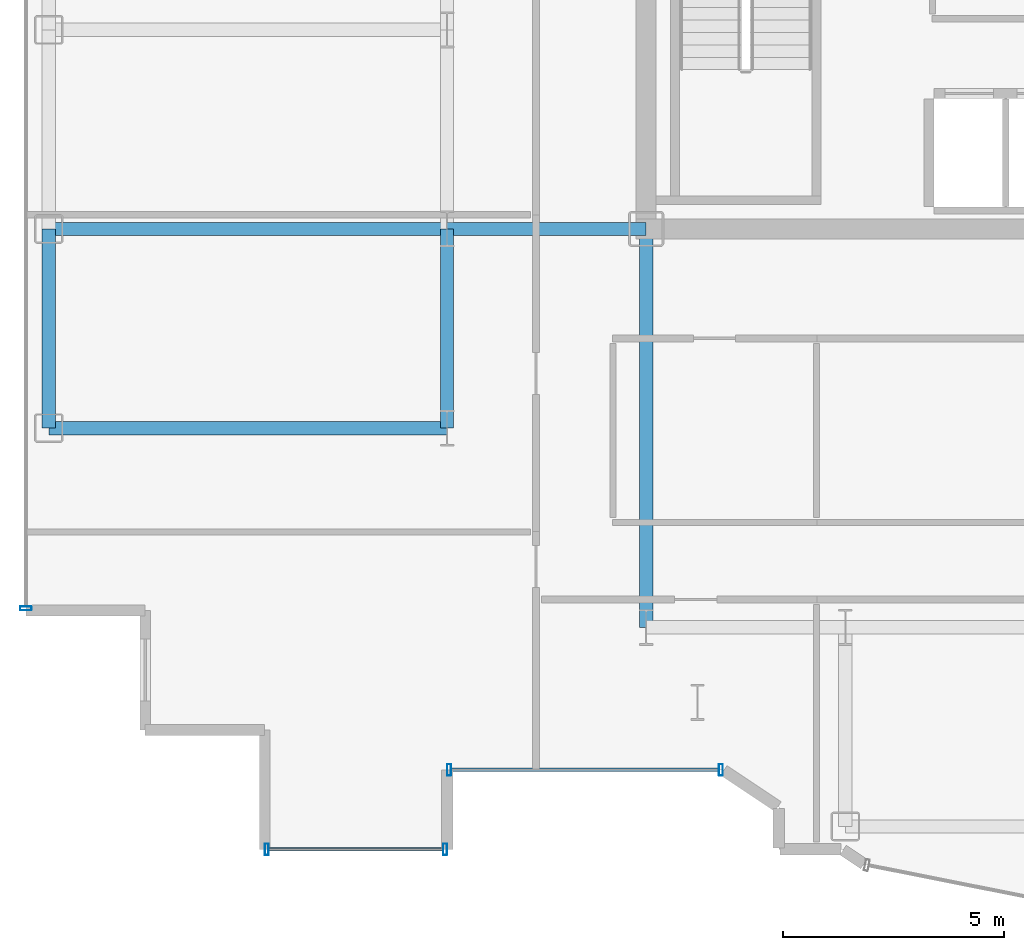
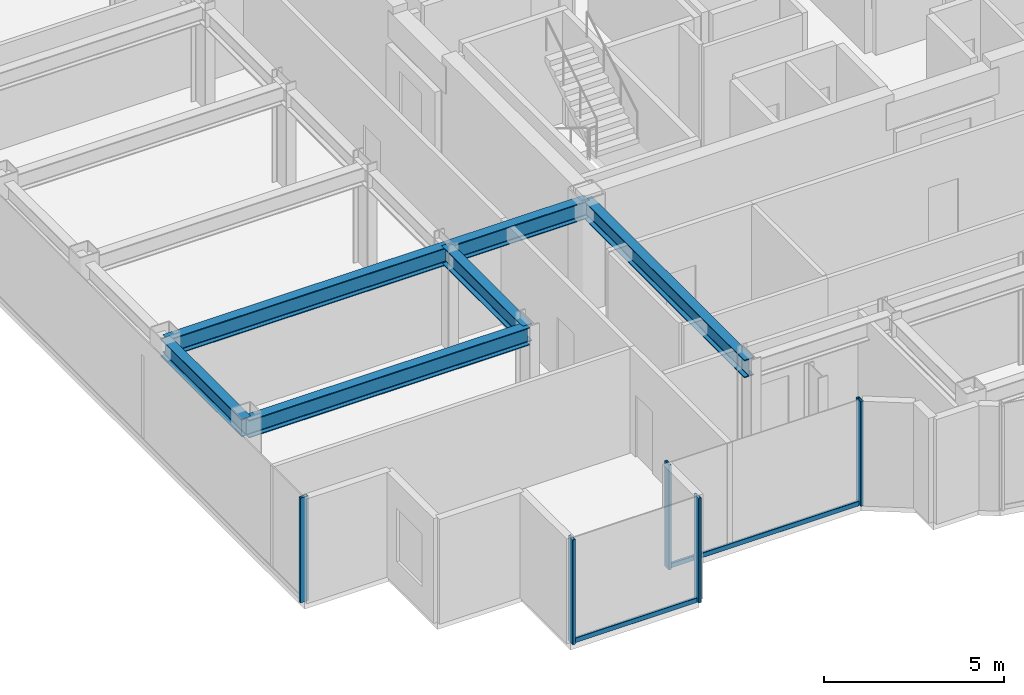
# One storey, part 2 of 20: 7 members, 6 beams, 3 elements without a shape of their own.
"""IFC4 building model written with IfcOpenShell, lengths in metres."""

from ifc_helpers import new_model, si_unit, direction, frame, origin, origin_2d, place, context, subcontext, project, spatial, hollow_rectangle, i_section, extrude, source, transform, mapped, material, layer, layer_set, material_profile, profile_set, type_object, element, aggregate, save


model = new_model("IFC4")

# Units and contexts
model_context = context("Model", 3, precision=1e-05, world=origin(), true_north=direction((0.0, 1.0)))
body_context = subcontext(model_context, "Body", "Model", "MODEL_VIEW")
ifc_project = project(units=[si_unit("LENGTHUNIT", "METRE"), si_unit("AREAUNIT", "SQUARE_METRE"), si_unit("VOLUMEUNIT", "CUBIC_METRE"), si_unit("PLANEANGLEUNIT", "RADIAN"), si_unit("MASSUNIT", "GRAM", prefix="KILO")], contexts=[model_context])

# Site, building, storey
site_placement = place(None, origin())
site = spatial("IfcSite", under=ifc_project, at=site_placement, CompositionType="ELEMENT")
building_placement = place(site_placement, origin())
building = spatial("IfcBuilding", under=site, at=building_placement, Name="Nefas-Gora Pilgrimage Tower", CompositionType="ELEMENT")
storey_placement = place(building_placement, frame((0.0, 0.0, 244.60009765625)))
storey = spatial("IfcBuildingStorey", under=building, at=storey_placement, Name="L61", CompositionType="ELEMENT", Elevation=244.60009765625)

# Beams
ifc_material_1 = material(Name="Steel S355", Category="steel")
ifc_material_profile_1 = material_profile(ifc_material_1, i_section(OverallWidth=0.300048828125, OverallDepth=0.60009765625, WebThickness=0.015380859375, FlangeThickness=0.030029296875, FilletRadius=0.027099609375, at=origin_2d()), Name="HEB 600")
ifc_profile_set_1 = profile_set([ifc_material_profile_1], Name="Steel S355")
beam_type_1 = type_object("IfcBeamType", Name="BM-SPN-HEB450", PredefinedType="SPANDREL", material=ifc_profile_set_1)
shared_shape_1 = source(origin(), body_context, "Body", "SweptSolid", [
    extrude(i_section(OverallWidth=0.300048828125, OverallDepth=0.60009765625, WebThickness=0.015380859375, FlangeThickness=0.030029296875, FilletRadius=0.027099609375, at=origin_2d()), origin(), (0.0, 0.0, 1.0), 4.5),
])
beam_placement = place(storey_placement, frame((-24.75, -13.5, 3.25), z_axis=(0.0, 1.0, 0.0), x_axis=(-1.0, 0.0, 0.0)))
element("IfcBeam", 1, at=beam_placement, inside=storey, type_object=beam_type_1, Name="L61 SP-03 beam", PredefinedType="SPANDREL", context=body_context, shape_type="MappedRepresentation", body=[
    mapped(shared_shape_1, transform((0.0, 0.0, 0.0), x_axis=(1.0, 0.0, 0.0), y_axis=(0.0, 1.0, 0.0), z_axis=(0.0, 0.0, 1.0), scale=1.0)),
])
ifc_material_profile_2 = material_profile(ifc_material_1, i_section(OverallWidth=0.300048828125, OverallDepth=0.60009765625, WebThickness=0.015380859375, FlangeThickness=0.030029296875, FilletRadius=0.027099609375, at=origin_2d()), Name="HEB 600")
ifc_profile_set_2 = profile_set([ifc_material_profile_2], Name="Steel S355")
beam_type_2 = type_object("IfcBeamType", Name="BM-GIR-HEB600", PredefinedType="BEAM", material=ifc_profile_set_2)
shared_shape_2 = source(origin(), body_context, "Body", "SweptSolid", [
    extrude(i_section(OverallWidth=0.300048828125, OverallDepth=0.60009765625, WebThickness=0.015380859375, FlangeThickness=0.030029296875, FilletRadius=0.027099609375, at=origin_2d()), origin(), (0.0, 0.0, 1.0), 9.0),
])
for number, where, z_axis, x_axis, name in (
    (2, (-24.75, -13.5, 3.25), (1.0, 0.0, 0.0), (0.0, 1.0, 0.0), "L61 G-04 beam"),
    (3, (-24.75, -9.0, 3.25), (1.0, 0.0, 0.0), (0.0, 1.0, 0.0), "L61 G-04 beam"),
    (4, (-11.25, -18.0, 3.25), (0.0, 1.0, 0.0), (-1.0, 0.0, 0.0), "L61 G-04 beam"),
):
    element("IfcBeam", number, at=place(storey_placement, frame(where, z_axis=z_axis, x_axis=x_axis)), inside=storey, type_object=beam_type_2, Name=name, PredefinedType="BEAM", context=body_context, shape_type="MappedRepresentation", body=[
        mapped(shared_shape_2, transform((0.0, 0.0, 0.0), x_axis=(1.0, 0.0, 0.0), y_axis=(0.0, 1.0, 0.0), z_axis=(0.0, 0.0, 1.0), scale=1.0)),
    ])
shared_shape_3 = source(origin(), body_context, "Body", "SweptSolid", [
    extrude(i_section(OverallWidth=0.300048828125, OverallDepth=0.60009765625, WebThickness=0.015380859375, FlangeThickness=0.030029296875, FilletRadius=0.027099609375, at=origin_2d()), origin(), (0.0, 0.0, 1.0), 4.5),
])
for number, where, z_axis, x_axis, name in (
    (5, (-15.75, -13.5, 3.25), (0.0, 1.0, 0.0), (-1.0, 0.0, 0.0), "L61 G-04 beam"),
    (6, (-15.75, -9.0, 3.25), (1.0, 0.0, 0.0), (0.0, 1.0, 0.0), "L61 G-04 beam"),
):
    element("IfcBeam", number, at=place(storey_placement, frame(where, z_axis=z_axis, x_axis=x_axis)), inside=storey, type_object=beam_type_2, Name=name, PredefinedType="BEAM", context=body_context, shape_type="MappedRepresentation", body=[
        mapped(shared_shape_3, transform((0.0, 0.0, 0.0), x_axis=(1.0, 0.0, 0.0), y_axis=(0.0, 1.0, 0.0), z_axis=(0.0, 0.0, 1.0), scale=1.0)),
    ])

# Curtain wall, members
ifc_material_2 = material(Name="Dark ceramic-fritted solar-control aluminium-glass curtain wall", Category="aluminium")
ifc_layer_1 = layer(ifc_material_2, 0.219970703125)
ifc_layer_set_1 = layer_set([ifc_layer_1], Name="Dark ceramic-fritted solar-control aluminium-glass curtain wall")
curtain_wall_type_1 = type_object("IfcCurtainWallType", Name="CW-SYS-5", PredefinedType="NOTDEFINED", material=ifc_layer_set_1)
curtain_wall_1_placement = place(storey_placement, origin())
curtain_wall_1 = element("IfcCurtainWall", 7, at=curtain_wall_1_placement, inside=storey, type_object=curtain_wall_type_1, Name="L61 Unitised Curtain Wall CW5", PredefinedType="NOTDEFINED")
ifc_material_3 = material(Name="Anodised architectural aluminium", Category="aluminium")
ifc_material_profile_3 = material_profile(ifc_material_3, hollow_rectangle(XDim=0.080078125, YDim=0.159912109375, WallThickness=0.00439453125, InnerFilletRadius=0.00439453125, OuterFilletRadius=0.009033203125, at=origin_2d()), Name="ALU TRANSOM 80x160")
ifc_profile_set_3 = profile_set([ifc_material_profile_3], Name="Anodised architectural aluminium")
member_type_1 = type_object("IfcMemberType", Name="CWM-TRN-5", PredefinedType="USERDEFINED", material=ifc_profile_set_3)
shared_shape_4 = source(origin(), body_context, "Body", "SweptSolid", [
    extrude(hollow_rectangle(XDim=0.080078125, YDim=0.159912109375, WallThickness=0.00439453125, InnerFilletRadius=0.00439453125, OuterFilletRadius=0.009033203125, at=origin_2d()), origin(), (0.0, 0.0, 1.0), 6.052001953125),
])
member_1_placement = place(storey_placement, frame((-15.659912109375, -21.219970703125, 0.0498046875), z_axis=(1.0, 0.0, 0.0), x_axis=(0.0, 1.0, 0.0)))
member_1 = element("IfcMember", 8, at=member_1_placement, type_object=member_type_1, Name="CW5 Spandrel Transom", ObjectType="TRANSOM", PredefinedType="USERDEFINED", context=body_context, shape_type="MappedRepresentation", body=[
    mapped(shared_shape_4, transform((0.0, 0.0, 0.0), x_axis=(1.0, 0.0, 0.0), y_axis=(0.0, 1.0, 0.0), z_axis=(0.0, 0.0, 1.0), scale=1.0)),
])
ifc_material_profile_4 = material_profile(ifc_material_3, hollow_rectangle(XDim=0.090087890625, YDim=0.260009765625, WallThickness=0.006103515625, InnerFilletRadius=0.006103515625, OuterFilletRadius=0.011962890625, at=origin_2d()), Name="ALU MULLION 90x260")
ifc_profile_set_4 = profile_set([ifc_material_profile_4], Name="Anodised architectural aluminium")
member_type_2 = type_object("IfcMemberType", Name="CWM-MUL-5", PredefinedType="MULLION", material=ifc_profile_set_4)
shared_shape_5 = source(origin(), body_context, "Body", "SweptSolid", [
    extrude(hollow_rectangle(XDim=0.090087890625, YDim=0.260009765625, WallThickness=0.006103515625, InnerFilletRadius=0.006103515625, OuterFilletRadius=0.011962890625, at=origin_2d()), origin(), (0.0, 0.0, 1.0), 3.5498046875),
])
member_2_placement = place(storey_placement, frame((-15.705078125, -21.219970703125, 0.0), z_axis=(0.0, 0.0, 1.0), x_axis=(1.0, 0.0, 0.0)))
member_2 = element("IfcMember", 9, at=member_2_placement, type_object=member_type_2, Name="CW5 Mullion 1", PredefinedType="MULLION", context=body_context, shape_type="MappedRepresentation", body=[
    mapped(shared_shape_5, transform((0.0, 0.0, 0.0), x_axis=(1.0, 0.0, 0.0), y_axis=(0.0, 1.0, 0.0), z_axis=(0.0, 0.0, 1.0), scale=1.0)),
])
member_3_placement = place(storey_placement, frame((-9.56298828125, -21.219970703125, 0.0), z_axis=(0.0, 0.0, 1.0), x_axis=(1.0, 0.0, 0.0)))
member_3 = element("IfcMember", 10, at=member_3_placement, type_object=member_type_2, Name="CW5 Mullion 2", PredefinedType="MULLION", context=body_context, shape_type="MappedRepresentation", body=[
    mapped(shared_shape_5, transform((0.0, 0.0, 0.0), x_axis=(1.0, 0.0, 0.0), y_axis=(0.0, 1.0, 0.0), z_axis=(0.0, 0.0, 1.0), scale=1.0)),
])
aggregate(curtain_wall_1, [member_2, member_3, member_1])

# Curtain wall, member
ifc_layer_2 = layer(ifc_material_2, 0.219970703125)
ifc_layer_set_2 = layer_set([ifc_layer_2], Name="Dark ceramic-fritted solar-control aluminium-glass curtain wall")
curtain_wall_type_2 = type_object("IfcCurtainWallType", Name="CW-SYS-3", PredefinedType="NOTDEFINED", material=ifc_layer_set_2)
curtain_wall_2_placement = place(storey_placement, origin())
curtain_wall_2 = element("IfcCurtainWall", 11, at=curtain_wall_2_placement, inside=storey, type_object=curtain_wall_type_2, Name="L61 Unitised Curtain Wall CW3", PredefinedType="NOTDEFINED")
ifc_material_profile_5 = material_profile(ifc_material_3, hollow_rectangle(XDim=0.090087890625, YDim=0.260009765625, WallThickness=0.006103515625, InnerFilletRadius=0.006103515625, OuterFilletRadius=0.011962890625, at=origin_2d()), Name="ALU MULLION 90x260")
ifc_profile_set_5 = profile_set([ifc_material_profile_5], Name="Anodised architectural aluminium")
member_type_3 = type_object("IfcMemberType", Name="CWM-MUL-3", PredefinedType="MULLION", material=ifc_profile_set_5)
shared_shape_6 = source(origin(), body_context, "Body", "SweptSolid", [
    extrude(hollow_rectangle(XDim=0.090087890625, YDim=0.260009765625, WallThickness=0.006103515625, InnerFilletRadius=0.006103515625, OuterFilletRadius=0.011962890625, at=origin_2d()), origin(), (0.0, 0.0, 1.0), 3.5498046875),
])
member_4_placement = place(storey_placement, frame((-25.27001953125, -17.574951171875, 0.0), z_axis=(0.0, 0.0, 1.0), x_axis=(0.0, -1.0, 0.0)))
member_4 = element("IfcMember", 12, at=member_4_placement, type_object=member_type_3, Name="CW3 Mullion 2", PredefinedType="MULLION", context=body_context, shape_type="MappedRepresentation", body=[
    mapped(shared_shape_6, transform((0.0, 0.0, 0.0), x_axis=(1.0, 0.0, 0.0), y_axis=(0.0, 1.0, 0.0), z_axis=(0.0, 0.0, 1.0), scale=1.0)),
])
aggregate(curtain_wall_2, [member_4])

# Curtain wall, members
curtain_wall_3_placement = place(storey_placement, origin())
curtain_wall_3 = element("IfcCurtainWall", 13, at=curtain_wall_3_placement, inside=storey, type_object=curtain_wall_type_2, Name="L61 Unitised Curtain Wall CW3", PredefinedType="NOTDEFINED")
member_5_placement = place(storey_placement, frame((-19.824951171875, -23.02001953125, 0.0), z_axis=(0.0, 0.0, 1.0), x_axis=(1.0, 0.0, 0.0)))
member_5 = element("IfcMember", 14, at=member_5_placement, type_object=member_type_3, Name="CW3 Mullion 1", PredefinedType="MULLION", context=body_context, shape_type="MappedRepresentation", body=[
    mapped(shared_shape_6, transform((0.0, 0.0, 0.0), x_axis=(1.0, 0.0, 0.0), y_axis=(0.0, 1.0, 0.0), z_axis=(0.0, 0.0, 1.0), scale=1.0)),
])
member_6_placement = place(storey_placement, frame((-15.794921875, -23.02001953125, 0.0), z_axis=(0.0, 0.0, 1.0), x_axis=(1.0, 0.0, 0.0)))
member_6 = element("IfcMember", 15, at=member_6_placement, type_object=member_type_3, Name="CW3 Mullion 2", PredefinedType="MULLION", context=body_context, shape_type="MappedRepresentation", body=[
    mapped(shared_shape_6, transform((0.0, 0.0, 0.0), x_axis=(1.0, 0.0, 0.0), y_axis=(0.0, 1.0, 0.0), z_axis=(0.0, 0.0, 1.0), scale=1.0)),
])
ifc_material_profile_6 = material_profile(ifc_material_3, hollow_rectangle(XDim=0.080078125, YDim=0.159912109375, WallThickness=0.00439453125, InnerFilletRadius=0.00439453125, OuterFilletRadius=0.009033203125, at=origin_2d()), Name="ALU TRANSOM 80x160")
ifc_profile_set_6 = profile_set([ifc_material_profile_6], Name="Anodised architectural aluminium")
member_type_4 = type_object("IfcMemberType", Name="CWM-TRN-3", PredefinedType="USERDEFINED", material=ifc_profile_set_6)
shared_shape_7 = source(origin(), body_context, "Body", "SweptSolid", [
    extrude(hollow_rectangle(XDim=0.080078125, YDim=0.159912109375, WallThickness=0.00439453125, InnerFilletRadius=0.00439453125, OuterFilletRadius=0.009033203125, at=origin_2d()), origin(), (0.0, 0.0, 1.0), 3.93994140625),
])
member_7_placement = place(storey_placement, frame((-19.780029296875, -23.02001953125, 0.0498046875), z_axis=(1.0, 0.0, 0.0), x_axis=(0.0, 1.0, 0.0)))
member_7 = element("IfcMember", 16, at=member_7_placement, type_object=member_type_4, Name="CW3 Spandrel Transom", ObjectType="TRANSOM", PredefinedType="USERDEFINED", context=body_context, shape_type="MappedRepresentation", body=[
    mapped(shared_shape_7, transform((0.0, 0.0, 0.0), x_axis=(1.0, 0.0, 0.0), y_axis=(0.0, 1.0, 0.0), z_axis=(0.0, 0.0, 1.0), scale=1.0)),
])
aggregate(curtain_wall_3, [member_5, member_6, member_7])

save(model, "model.ifc")
